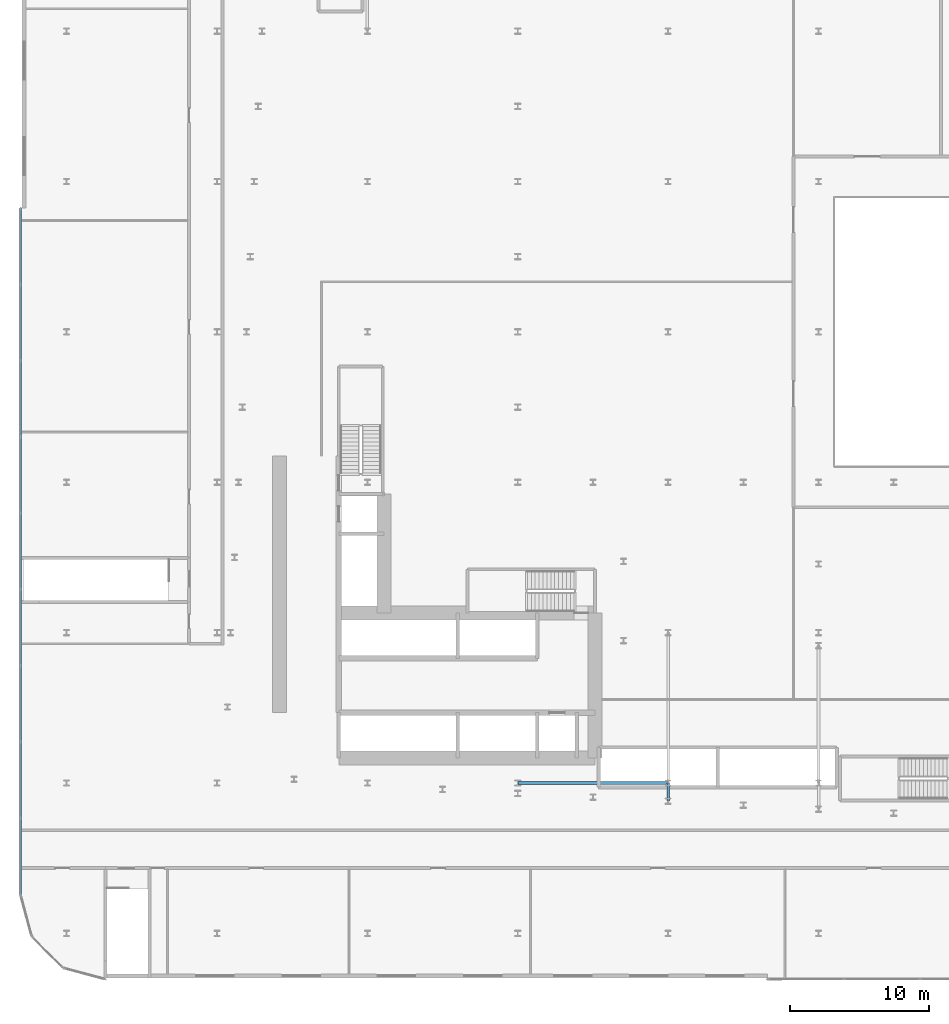
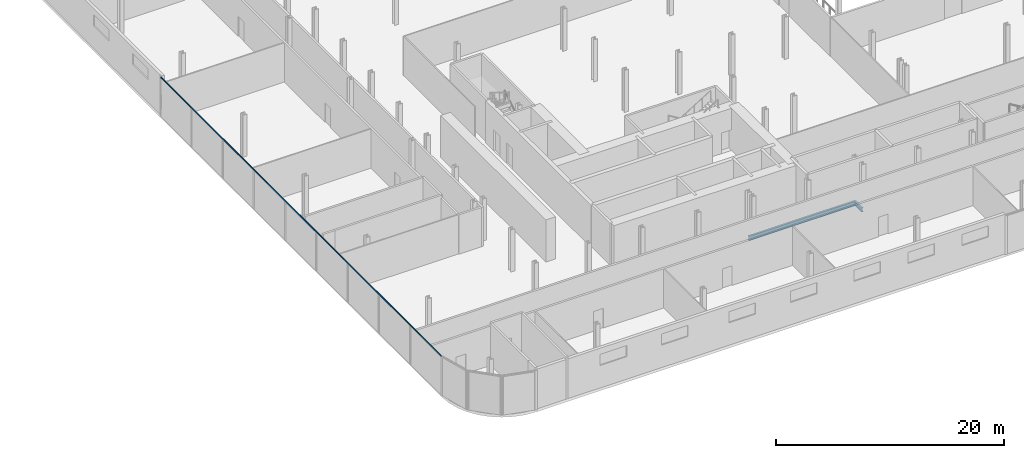
# One storey, part 7 of 43: 2 beams, 1 member, 1 element without a shape of its own.
"""IFC4 building model written with IfcOpenShell, lengths in metres."""

import ifcopenshell
import ifcopenshell.guid

model = None  # the IFC model being written
_history = None  # IfcOwnerHistory: only IFC2X3 demands one
_inside = {}  # id of a spatial element -> (the spatial element, [elements in it])
_under = {}  # id of a project, library or spatial element -> (it, [spatial elements below it])
_declared = {}  # id of a project -> (the project, [libraries it declares])
_typed = {}  # id of a type object -> (the type object, [elements of that type])
_made_of = {}  # id of a material, layer set ... -> (it, [elements and type objects made of it])


def new_model(schema):
    """Start an empty IFC model of exactly this schema.

    Asked for "IFC4X3", IfcOpenShell would pick the latest addendum, in which some entities
    have other attributes; the version numbers below select the first issue.
    IFC2X3 requires an IfcOwnerHistory on every rooted entity: one is made here for all.
    """
    global model, _history
    if schema == "IFC4X3":
        model = ifcopenshell.file(schema_version=(4, 3, 0, 0))
    else:
        model = ifcopenshell.file(schema=schema)
    _inside.clear()
    _under.clear()
    _declared.clear()
    _typed.clear()
    _made_of.clear()
    _history = None
    if model.schema == "IFC2X3":
        org = make("IfcOrganization", Name="unknown")
        user = make(
            "IfcPersonAndOrganization",
            ThePerson=make("IfcPerson", FamilyName="unknown"),
            TheOrganization=org,
        )
        app = make(
            "IfcApplication",
            ApplicationDeveloper=org,
            Version="unknown",
            ApplicationFullName="unknown",
            ApplicationIdentifier="unknown",
        )
        _history = make(
            "IfcOwnerHistory",
            OwningUser=user,
            OwningApplication=app,
            ChangeAction="ADDED",
            CreationDate=0,
        )
    return model


def make(cls, **values):
    """One entity of the class cls with the attributes given. An attribute that is None is left unset."""
    return model.create_entity(
        cls, **{name: value for name, value in values.items() if value is not None}
    )


def rooted(cls, **values):
    """An entity with a GlobalId (a new one), such as an element, a storey or a relation."""
    return make(cls, GlobalId=ifcopenshell.guid.new(), OwnerHistory=_history, **values)


def si_unit(unit_type, name, prefix=None):
    """IfcSIUnit, for example si_unit("LENGTHUNIT", "METRE", prefix="MILLI")."""
    return make("IfcSIUnit", UnitType=unit_type, Prefix=prefix, Name=name)


def assignment(units):
    """IfcUnitAssignment: the units of a project."""
    return None if units is None else make("IfcUnitAssignment", Units=units)


def point(xyz):
    """IfcCartesianPoint."""
    return None if xyz is None else make("IfcCartesianPoint", Coordinates=xyz)


def direction(xyz):
    """IfcDirection."""
    return None if xyz is None else make("IfcDirection", DirectionRatios=xyz)


def frame(location, z_axis=None, x_axis=None):
    """IfcAxis2Placement3D, a coordinate frame: its origin and axes. An axis left out is left unset."""
    return make(
        "IfcAxis2Placement3D",
        Location=point(location),
        Axis=direction(z_axis),
        RefDirection=direction(x_axis),
    )


def frame_2d(location, x_axis=None):
    """IfcAxis2Placement2D, a coordinate frame in the plane: its origin and x axis."""
    return make(
        "IfcAxis2Placement2D", Location=point(location), RefDirection=direction(x_axis)
    )


def origin():
    """The frame at (0, 0, 0) with its axes left unset."""
    return frame((0.0, 0.0, 0.0))


def origin_2d():
    """The frame at (0, 0) in the plane with its x axis left unset."""
    return frame_2d((0.0, 0.0))


def place(relative_to, where):
    """IfcLocalPlacement: puts the frame where relative to a parent placement (None: the world)."""
    return make(
        "IfcLocalPlacement", PlacementRelTo=relative_to, RelativePlacement=where
    )


def context(
    kind, dimensions, precision=None, world=None, true_north=None, identifier=None
):
    """IfcGeometricRepresentationContext, for example the 3D "Model" context."""
    return make(
        "IfcGeometricRepresentationContext",
        ContextIdentifier=identifier,
        ContextType=kind,
        CoordinateSpaceDimension=dimensions,
        Precision=precision,
        WorldCoordinateSystem=world,
        TrueNorth=true_north,
    )


def subcontext(parent, identifier, kind, view, scale=None):
    """IfcGeometricRepresentationSubContext, for example "Body" below "Model"."""
    return make(
        "IfcGeometricRepresentationSubContext",
        ContextIdentifier=identifier,
        ContextType=kind,
        ParentContext=parent,
        TargetScale=scale,
        TargetView=view,
    )


def project(units=None, contexts=None):
    """IfcProject with its units and contexts."""
    return rooted(
        "IfcProject",
        Name="project",
        RepresentationContexts=contexts,
        UnitsInContext=assignment(units),
    )


def spatial(cls, under=None, at=None, **own):
    """A site, building, storey or space (cls), placed at a placement, below another one or the project."""
    s = rooted(cls, ObjectPlacement=at, **own)
    if under is not None:
        _under.setdefault(under.id(), (under, []))[1].append(s)
    return s


def profile(cls, at=None, kind="AREA", **sizes):
    """A parametric profile (cls). Its sizes go by their IFC names, for example OverallWidth=200.0."""
    return make(cls, ProfileType=kind, Position=at, **sizes)


def rectangle(**sizes):
    """IfcRectangleProfileDef."""
    return profile("IfcRectangleProfileDef", **sizes)


def i_section(**sizes):
    """IfcIShapeProfileDef."""
    return profile("IfcIShapeProfileDef", **sizes)


def extrude(swept, where, along, depth):
    """IfcExtrudedAreaSolid: the profile swept, set in the frame where, extruded along a direction by depth."""
    return make(
        "IfcExtrudedAreaSolid",
        SweptArea=swept,
        Position=where,
        ExtrudedDirection=direction(along),
        Depth=depth,
    )


def shape(context_of_items, identifier, shape_type, items):
    """IfcShapeRepresentation: the items that make up one representation, for example the "Body"."""
    return make(
        "IfcShapeRepresentation",
        ContextOfItems=context_of_items,
        RepresentationIdentifier=identifier,
        RepresentationType=shape_type,
        Items=items,
    )


def material(Name=None, Category=None):
    """IfcMaterial."""
    return make("IfcMaterial", Name=Name, Category=Category)


def layer(
    of_material, thickness, ventilated=None, Name=None, Category=None, Priority=None
):
    """IfcMaterialLayer: one layer of a wall or slab, of a material (None: an air gap)."""
    return make(
        "IfcMaterialLayer",
        Material=of_material,
        LayerThickness=thickness,
        IsVentilated=ventilated,
        Name=Name,
        Category=Category,
        Priority=Priority,
    )


def layer_set(layers, Name=None):
    """IfcMaterialLayerSet."""
    return make("IfcMaterialLayerSet", MaterialLayers=layers, LayerSetName=Name)


def material_profile(
    of_material, cross_section, Name=None, Category=None, Priority=None
):
    """IfcMaterialProfile: a cross section and its material."""
    return make(
        "IfcMaterialProfile",
        Name=Name,
        Material=of_material,
        Profile=cross_section,
        Priority=Priority,
        Category=Category,
    )


def profile_set(profiles, Name=None, composite=None):
    """IfcMaterialProfileSet."""
    return make(
        "IfcMaterialProfileSet",
        Name=Name,
        MaterialProfiles=profiles,
        CompositeProfile=composite,
    )


def made_of(thing, what):
    """Note that an element or type object is made of a material, layer set ...; save() writes the relation."""
    if what is not None:
        _made_of.setdefault(what.id(), (what, []))[1].append(thing)
    return thing


def type_object(cls, material=None, **own):
    """A type object (cls), such as IfcWallType, which elements share."""
    return made_of(rooted(cls, **own), material)


def element(
    cls,
    number,
    at=None,
    inside=None,
    cuts=None,
    type_object=None,
    material=None,
    context=None,
    identifier="Body",
    shape_type=None,
    held_by="IfcProductDefinitionShape",
    body=None,
    shapes=None,
    **own,
):
    """One element of the class cls, such as IfcWall. Its Tag is "e" and its number.

    at: its placement. inside: the storey or other place that contains it. cuts: it is an
    opening in that element (IfcRelVoidsElement). A single representation is given by context,
    identifier, shape_type and body (its items); several are given by shapes. held_by: the class
    of the entity that holds the representations. save() writes the other relations.
    """
    e = rooted(cls, Tag="e%d" % number, ObjectPlacement=at, **own)
    if body is not None:
        shapes = [shape(context, identifier, shape_type, body)]
    if shapes is not None:
        e.Representation = make(held_by, Representations=shapes)
    if inside is not None:
        _inside.setdefault(inside.id(), (inside, []))[1].append(e)
    if cuts is not None:
        rooted(
            "IfcRelVoidsElement", RelatingBuildingElement=cuts, RelatedOpeningElement=e
        )
    if type_object is not None:
        _typed.setdefault(type_object.id(), (type_object, []))[1].append(e)
    return made_of(e, material)


def aggregate(whole, parts):
    """IfcRelAggregates: a whole, such as a stair, and the parts it consists of."""
    return rooted("IfcRelAggregates", RelatingObject=whole, RelatedObjects=parts)


def save(model, path):
    """Write the relations noted so far, then the file.

    IfcRelAggregates (storeys below a building ...), IfcRelContainedInSpatialStructure (elements
    in a storey), IfcRelDefinesByType, IfcRelAssociatesMaterial and IfcRelDeclares: one each for
    every whole, place, type object, material and project.
    """
    for whole, parts in _under.values():
        aggregate(whole, parts)
    for where, things in _inside.values():
        rooted(
            "IfcRelContainedInSpatialStructure",
            RelatedElements=things,
            RelatingStructure=where,
        )
    for kind, things in _typed.values():
        rooted("IfcRelDefinesByType", RelatedObjects=things, RelatingType=kind)
    for what, things in _made_of.values():
        rooted("IfcRelAssociatesMaterial", RelatedObjects=things, RelatingMaterial=what)
    for by, libraries in _declared.values():
        rooted("IfcRelDeclares", RelatingContext=by, RelatedDefinitions=libraries)
    model.write(path)


model = new_model("IFC4")

# Units and contexts
model_context = context("Model", 3, precision=1e-05, world=origin(), true_north=direction((0.0, 1.0)))
body_context = subcontext(model_context, "Body", "Model", "MODEL_VIEW")
ifc_project = project(units=[si_unit("LENGTHUNIT", "METRE"), si_unit("AREAUNIT", "SQUARE_METRE"), si_unit("VOLUMEUNIT", "CUBIC_METRE"), si_unit("PLANEANGLEUNIT", "RADIAN"), si_unit("MASSUNIT", "GRAM", prefix="KILO")], contexts=[model_context])

# Site, building, storey
site_placement = place(None, origin())
site = spatial("IfcSite", under=ifc_project, at=site_placement, CompositionType="ELEMENT")
building_placement = place(site_placement, origin())
building = spatial("IfcBuilding", under=site, at=building_placement, Name="Kheshtan School and Residences Tower", CompositionType="ELEMENT")
storey_placement = place(building_placement, frame((0.0, 0.0, 26.0)))
storey = spatial("IfcBuildingStorey", under=building, at=storey_placement, Name="L05", CompositionType="ELEMENT", Elevation=26.0)

# Beams
ifc_material_1 = material(Name="Steel ASTM A992 Grade 50", Category="steel")
ifc_material_profile_1 = material_profile(ifc_material_1, i_section(OverallWidth=0.180908203125, OverallDepth=0.4169921875, WebThickness=0.010986328125, FlangeThickness=0.018310546875, FilletRadius=0.012451171875, at=origin_2d()), Name="W410x85")
ifc_profile_set_1 = profile_set([ifc_material_profile_1], Name="Steel ASTM A992 Grade 50")
beam_type_1 = type_object("IfcBeamType", Name="Beam PB1 W410x85 ASTM A992 Grade 50", PredefinedType="BEAM", material=ifc_profile_set_1)
beam_1_placement = place(storey_placement, frame((58.39990234375, 22.699951171875, -0.508544921875), z_axis=(0.0, 1.0, 0.0), x_axis=(-1.0, 0.0, 0.0)))
element("IfcBeam", 1, at=beam_1_placement, inside=storey, type_object=beam_type_1, Name="Podium floor beam PB1", PredefinedType="BEAM", context=body_context, shape_type="SweptSolid", body=[
    extrude(i_section(OverallWidth=0.180908203125, OverallDepth=0.4169921875, WebThickness=0.010986328125, FlangeThickness=0.018310546875, FilletRadius=0.012451171875, at=origin_2d()), origin(), (0.0, 0.0, 1.0), 1.300048828125),
])
ifc_material_profile_2 = material_profile(ifc_material_1, i_section(OverallWidth=0.194091796875, OverallDepth=0.468994140625, WebThickness=0.0126953125, FlangeThickness=0.0205078125, FilletRadius=0.01416015625, at=origin_2d()), Name="W460x106")
ifc_profile_set_2 = profile_set([ifc_material_profile_2], Name="Steel ASTM A992 Grade 50")
beam_type_2 = type_object("IfcBeamType", Name="Beam PB2 W460x106 ASTM A992 Grade 50", PredefinedType="BEAM", material=ifc_profile_set_2)
beam_2_placement = place(storey_placement, frame((47.60009765625, 24.0, -0.534423828125), z_axis=(1.0, 0.0, 0.0), x_axis=(0.0, 1.0, 0.0)))
element("IfcBeam", 2, at=beam_2_placement, inside=storey, type_object=beam_type_2, Name="Podium floor beam PB2", PredefinedType="BEAM", context=body_context, shape_type="SweptSolid", body=[
    extrude(i_section(OverallWidth=0.194091796875, OverallDepth=0.468994140625, WebThickness=0.0126953125, FlangeThickness=0.0205078125, FilletRadius=0.01416015625, at=origin_2d()), origin(), (0.0, 0.0, 1.0), 10.7998046875),
])

# Curtain wall, member
ifc_material_2 = material(Name="Clear low-e glass in thermally broken aluminium frame", Category="aluminium")
ifc_layer = layer(ifc_material_2, 0.22509765625)
ifc_layer_set = layer_set([ifc_layer], Name="Curtain wall CW-P")
curtain_wall_type = type_object("IfcCurtainWallType", Name="Curtain wall CW-P", PredefinedType="NOTDEFINED", material=ifc_layer_set)
curtain_wall_placement = place(storey_placement, origin())
curtain_wall = element("IfcCurtainWall", 3, at=curtain_wall_placement, inside=storey, type_object=curtain_wall_type, Name="Curtain wall CWP16a", PredefinedType="NOTDEFINED")
ifc_material_3 = material(Name="Thermally broken aluminium, dark bronze anodised", Category="aluminium")
ifc_material_profile_3 = material_profile(ifc_material_3, rectangle(XDim=0.06005859375, YDim=0.139892578125, at=origin_2d()), Name="CW-P transom 60x140")
ifc_profile_set_3 = profile_set([ifc_material_profile_3], Name="Thermally broken aluminium, dark bronze anodised")
member_type = type_object("IfcMemberType", Name="CW-P transom 60x140", PredefinedType="USERDEFINED", material=ifc_profile_set_3)
member_placement = place(storey_placement, frame((11.89990234375, 15.97509765625, 4.179931640625), z_axis=(0.0, 1.0, 0.0), x_axis=(-1.0, 0.0, 0.0)))
member = element("IfcMember", 4, at=member_placement, type_object=member_type, Name="CWP16a transom 1", ObjectType="TRANSOM", PredefinedType="USERDEFINED", context=body_context, shape_type="SweptSolid", body=[
    extrude(rectangle(XDim=0.06005859375, YDim=0.139892578125, at=origin_2d()), origin(), (0.0, 0.0, 1.0), 49.244873046875),
])
aggregate(curtain_wall, [member])

save(model, "model.ifc")
